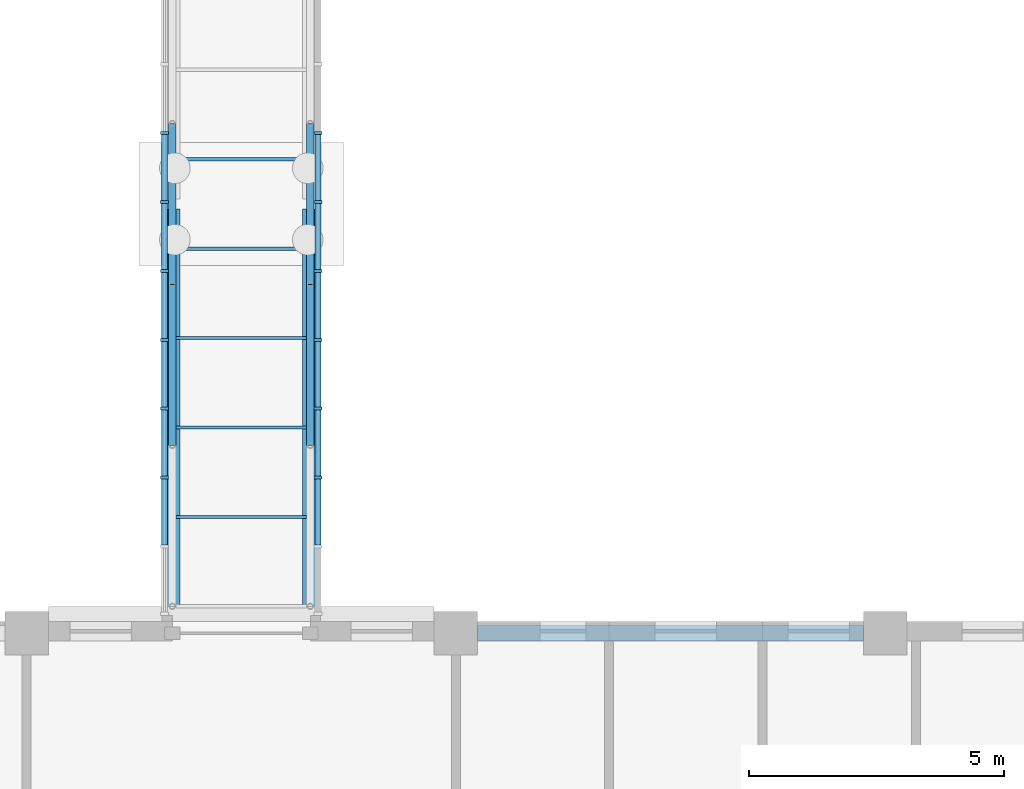
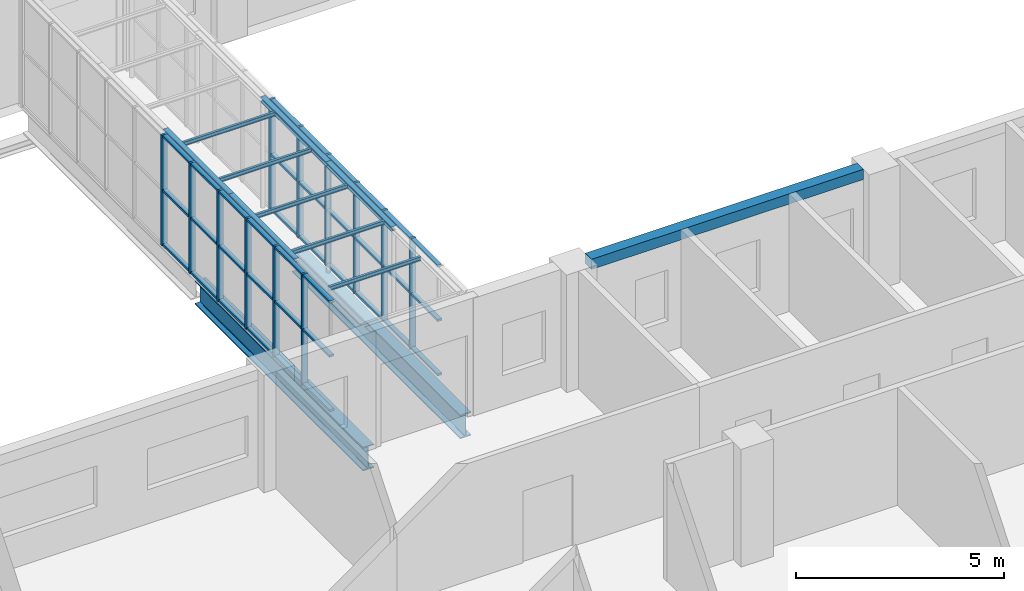
# One storey, part 20 of 94: 48 members, 12 beams, 2 elements without a shape of their own.
"""IFC4 building model written with IfcOpenShell, lengths in metres."""

from ifc_helpers import new_model, si_unit, direction, frame, origin, origin_2d, place, context, subcontext, project, spatial, rectangle, i_section, extrude, material, material_profile, profile_set, type_object, element, aggregate, save


model = new_model("IFC4")

# Units and contexts
model_context = context("Model", 3, precision=1e-05, world=origin(), true_north=direction((0.0, 1.0)))
body_context = subcontext(model_context, "Body", "Model", "MODEL_VIEW")
ifc_project = project(units=[si_unit("LENGTHUNIT", "METRE"), si_unit("AREAUNIT", "SQUARE_METRE"), si_unit("VOLUMEUNIT", "CUBIC_METRE"), si_unit("PLANEANGLEUNIT", "RADIAN"), si_unit("MASSUNIT", "GRAM", prefix="KILO")], contexts=[model_context])

# Site, building, storey
site_placement = place(None, origin())
site = spatial("IfcSite", under=ifc_project, at=site_placement, CompositionType="ELEMENT")
building_placement = place(site_placement, origin())
building = spatial("IfcBuilding", under=site, at=building_placement, Name="Yavir Park General Hospital", CompositionType="ELEMENT")
storey_placement = place(building_placement, frame((0.0, 0.0, 4.5)))
storey = spatial("IfcBuildingStorey", under=building, at=storey_placement, Name="L01", CompositionType="ELEMENT", Elevation=4.5)

# Curtain wall, members
ifc_material_1 = material(Name="Aluminium curtain wall frame with insulated glazing", Category="aluminium")
curtain_wall_type = type_object("IfcCurtainWallType", Name="Bridge enclosure glazing, 3250 high, 1400 module", PredefinedType="NOTDEFINED", material=ifc_material_1)
curtain_wall_1_placement = place(storey_placement, origin())
curtain_wall_1 = element("IfcCurtainWall", 1, at=curtain_wall_1_placement, inside=storey, type_object=curtain_wall_type, Name="CW41 L01-024", PredefinedType="NOTDEFINED")
ifc_material_2 = material(Name="Aluminium", Category="aluminium")
ifc_material_profile_1 = material_profile(ifc_material_2, rectangle(XDim=0.159912109375, YDim=0.06005859375, at=origin_2d()), Name="AL 60x160")
ifc_profile_set_1 = profile_set([ifc_material_profile_1], Name="Aluminium")
member_type_1 = type_object("IfcMemberType", Name="Bridge enclosure glazing, 3250 high mullion 60 x 160", PredefinedType="MULLION", material=ifc_profile_set_1)
member_1_placement = place(storey_placement, frame((53.10009765625, 36.645751953125, 0.0), z_axis=(0.0, 0.0, 1.0), x_axis=(-1.0, 0.0, 0.0)))
member_1 = element("IfcMember", 2, at=member_1_placement, type_object=member_type_1, Name="CW41 mullion 3", PredefinedType="MULLION", context=body_context, shape_type="SweptSolid", body=[
    extrude(rectangle(XDim=0.159912109375, YDim=0.06005859375, at=origin_2d()), origin(), (0.0, 0.0, 1.0), 3.25),
])
member_2_placement = place(storey_placement, frame((53.10009765625, 37.99365234375, 0.0), z_axis=(0.0, 0.0, 1.0), x_axis=(-1.0, 0.0, 0.0)))
member_2 = element("IfcMember", 3, at=member_2_placement, type_object=member_type_1, Name="CW41 mullion 4", PredefinedType="MULLION", context=body_context, shape_type="SweptSolid", body=[
    extrude(rectangle(XDim=0.159912109375, YDim=0.06005859375, at=origin_2d()), origin(), (0.0, 0.0, 1.0), 3.25),
])
member_3_placement = place(storey_placement, frame((53.10009765625, 39.341552734375, 0.0), z_axis=(0.0, 0.0, 1.0), x_axis=(-1.0, 0.0, 0.0)))
member_3 = element("IfcMember", 4, at=member_3_placement, type_object=member_type_1, Name="CW41 mullion 5", PredefinedType="MULLION", context=body_context, shape_type="SweptSolid", body=[
    extrude(rectangle(XDim=0.159912109375, YDim=0.06005859375, at=origin_2d()), origin(), (0.0, 0.0, 1.0), 3.25),
])
member_4_placement = place(storey_placement, frame((53.10009765625, 40.689697265625, 0.0), z_axis=(0.0, 0.0, 1.0), x_axis=(-1.0, 0.0, 0.0)))
member_4 = element("IfcMember", 5, at=member_4_placement, type_object=member_type_1, Name="CW41 mullion 6", PredefinedType="MULLION", context=body_context, shape_type="SweptSolid", body=[
    extrude(rectangle(XDim=0.159912109375, YDim=0.06005859375, at=origin_2d()), origin(), (0.0, 0.0, 1.0), 3.25),
])
member_5_placement = place(storey_placement, frame((53.10009765625, 42.03759765625, 0.0), z_axis=(0.0, 0.0, 1.0), x_axis=(-1.0, 0.0, 0.0)))
member_5 = element("IfcMember", 6, at=member_5_placement, type_object=member_type_1, Name="CW41 mullion 7", PredefinedType="MULLION", context=body_context, shape_type="SweptSolid", body=[
    extrude(rectangle(XDim=0.159912109375, YDim=0.06005859375, at=origin_2d()), origin(), (0.0, 0.0, 1.0), 3.25),
])
member_6_placement = place(storey_placement, frame((53.10009765625, 43.385498046875, 0.0), z_axis=(0.0, 0.0, 1.0), x_axis=(-1.0, 0.0, 0.0)))
member_6 = element("IfcMember", 7, at=member_6_placement, type_object=member_type_1, Name="CW41 mullion 8", PredefinedType="MULLION", context=body_context, shape_type="SweptSolid", body=[
    extrude(rectangle(XDim=0.159912109375, YDim=0.06005859375, at=origin_2d()), origin(), (0.0, 0.0, 1.0), 3.25),
])

curtain_wall_2_placement = place(storey_placement, origin())
curtain_wall_2 = element("IfcCurtainWall", 8, at=curtain_wall_2_placement, inside=storey, type_object=curtain_wall_type, Name="CW41 L01-025", PredefinedType="NOTDEFINED")
member_7_placement = place(storey_placement, frame((56.10009765625, 36.645751953125, 0.0), z_axis=(0.0, 0.0, 1.0), x_axis=(-1.0, 0.0, 0.0)))
member_7 = element("IfcMember", 9, at=member_7_placement, type_object=member_type_1, Name="CW41 mullion 3", PredefinedType="MULLION", context=body_context, shape_type="SweptSolid", body=[
    extrude(rectangle(XDim=0.159912109375, YDim=0.06005859375, at=origin_2d()), origin(), (0.0, 0.0, 1.0), 3.25),
])
member_8_placement = place(storey_placement, frame((56.10009765625, 37.99365234375, 0.0), z_axis=(0.0, 0.0, 1.0), x_axis=(-1.0, 0.0, 0.0)))
member_8 = element("IfcMember", 10, at=member_8_placement, type_object=member_type_1, Name="CW41 mullion 4", PredefinedType="MULLION", context=body_context, shape_type="SweptSolid", body=[
    extrude(rectangle(XDim=0.159912109375, YDim=0.06005859375, at=origin_2d()), origin(), (0.0, 0.0, 1.0), 3.25),
])
member_9_placement = place(storey_placement, frame((56.10009765625, 39.341552734375, 0.0), z_axis=(0.0, 0.0, 1.0), x_axis=(-1.0, 0.0, 0.0)))
member_9 = element("IfcMember", 11, at=member_9_placement, type_object=member_type_1, Name="CW41 mullion 5", PredefinedType="MULLION", context=body_context, shape_type="SweptSolid", body=[
    extrude(rectangle(XDim=0.159912109375, YDim=0.06005859375, at=origin_2d()), origin(), (0.0, 0.0, 1.0), 3.25),
])
member_10_placement = place(storey_placement, frame((56.10009765625, 40.689697265625, 0.0), z_axis=(0.0, 0.0, 1.0), x_axis=(-1.0, 0.0, 0.0)))
member_10 = element("IfcMember", 12, at=member_10_placement, type_object=member_type_1, Name="CW41 mullion 6", PredefinedType="MULLION", context=body_context, shape_type="SweptSolid", body=[
    extrude(rectangle(XDim=0.159912109375, YDim=0.06005859375, at=origin_2d()), origin(), (0.0, 0.0, 1.0), 3.25),
])
member_11_placement = place(storey_placement, frame((56.10009765625, 42.03759765625, 0.0), z_axis=(0.0, 0.0, 1.0), x_axis=(-1.0, 0.0, 0.0)))
member_11 = element("IfcMember", 13, at=member_11_placement, type_object=member_type_1, Name="CW41 mullion 7", PredefinedType="MULLION", context=body_context, shape_type="SweptSolid", body=[
    extrude(rectangle(XDim=0.159912109375, YDim=0.06005859375, at=origin_2d()), origin(), (0.0, 0.0, 1.0), 3.25),
])
member_12_placement = place(storey_placement, frame((56.10009765625, 43.385498046875, 0.0), z_axis=(0.0, 0.0, 1.0), x_axis=(-1.0, 0.0, 0.0)))
member_12 = element("IfcMember", 14, at=member_12_placement, type_object=member_type_1, Name="CW41 mullion 8", PredefinedType="MULLION", context=body_context, shape_type="SweptSolid", body=[
    extrude(rectangle(XDim=0.159912109375, YDim=0.06005859375, at=origin_2d()), origin(), (0.0, 0.0, 1.0), 3.25),
])

# Member
ifc_material_3 = material(Name="Aluminium", Category="aluminium")
ifc_material_profile_2 = material_profile(ifc_material_3, rectangle(XDim=0.1201171875, YDim=0.06005859375, at=origin_2d()), Name="AL 120x60")
ifc_profile_set_2 = profile_set([ifc_material_profile_2], Name="Aluminium")
member_type_2 = type_object("IfcMemberType", Name="Bridge enclosure glazing, 3250 high transom 60 x 120", PredefinedType="MULLION", material=ifc_profile_set_2)
member_13_placement = place(storey_placement, frame((53.10009765625, 35.327880859375, 0.030029296875), z_axis=(0.0, 1.0, 0.0), x_axis=(-1.0, 0.0, 0.0)))
member_13 = element("IfcMember", 15, at=member_13_placement, type_object=member_type_2, Name="CW41 transom 2.1", PredefinedType="MULLION", context=body_context, shape_type="SweptSolid", body=[
    extrude(rectangle(XDim=0.1201171875, YDim=0.06005859375, at=origin_2d()), origin(), (0.0, 0.0, 1.0), 1.287841796875),
])

member_14_placement = place(storey_placement, frame((53.10009765625, 35.327880859375, 1.625), z_axis=(0.0, 1.0, 0.0), x_axis=(-1.0, 0.0, 0.0)))
member_14 = element("IfcMember", 16, at=member_14_placement, type_object=member_type_2, Name="CW41 transom 2.2", PredefinedType="MULLION", context=body_context, shape_type="SweptSolid", body=[
    extrude(rectangle(XDim=0.1201171875, YDim=0.06005859375, at=origin_2d()), origin(), (0.0, 0.0, 1.0), 1.287841796875),
])

member_15_placement = place(storey_placement, frame((53.10009765625, 35.327880859375, 3.219970703125), z_axis=(0.0, 1.0, 0.0), x_axis=(-1.0, 0.0, 0.0)))
member_15 = element("IfcMember", 17, at=member_15_placement, type_object=member_type_2, Name="CW41 transom 2.3", PredefinedType="MULLION", context=body_context, shape_type="SweptSolid", body=[
    extrude(rectangle(XDim=0.1201171875, YDim=0.06005859375, at=origin_2d()), origin(), (0.0, 0.0, 1.0), 1.287841796875),
])

member_16_placement = place(storey_placement, frame((53.10009765625, 36.67578125, 0.030029296875), z_axis=(0.0, 1.0, 0.0), x_axis=(-1.0, 0.0, 0.0)))
member_16 = element("IfcMember", 18, at=member_16_placement, type_object=member_type_2, Name="CW41 transom 3.1", PredefinedType="MULLION", context=body_context, shape_type="SweptSolid", body=[
    extrude(rectangle(XDim=0.1201171875, YDim=0.06005859375, at=origin_2d()), origin(), (0.0, 0.0, 1.0), 1.2880859375),
])

member_17_placement = place(storey_placement, frame((53.10009765625, 36.67578125, 1.625), z_axis=(0.0, 1.0, 0.0), x_axis=(-1.0, 0.0, 0.0)))
member_17 = element("IfcMember", 19, at=member_17_placement, type_object=member_type_2, Name="CW41 transom 3.2", PredefinedType="MULLION", context=body_context, shape_type="SweptSolid", body=[
    extrude(rectangle(XDim=0.1201171875, YDim=0.06005859375, at=origin_2d()), origin(), (0.0, 0.0, 1.0), 1.2880859375),
])

member_18_placement = place(storey_placement, frame((53.10009765625, 36.67578125, 3.219970703125), z_axis=(0.0, 1.0, 0.0), x_axis=(-1.0, 0.0, 0.0)))
member_18 = element("IfcMember", 20, at=member_18_placement, type_object=member_type_2, Name="CW41 transom 3.3", PredefinedType="MULLION", context=body_context, shape_type="SweptSolid", body=[
    extrude(rectangle(XDim=0.1201171875, YDim=0.06005859375, at=origin_2d()), origin(), (0.0, 0.0, 1.0), 1.2880859375),
])

member_19_placement = place(storey_placement, frame((53.10009765625, 38.023681640625, 0.030029296875), z_axis=(0.0, 1.0, 0.0), x_axis=(-1.0, 0.0, 0.0)))
member_19 = element("IfcMember", 21, at=member_19_placement, type_object=member_type_2, Name="CW41 transom 4.1", PredefinedType="MULLION", context=body_context, shape_type="SweptSolid", body=[
    extrude(rectangle(XDim=0.1201171875, YDim=0.06005859375, at=origin_2d()), origin(), (0.0, 0.0, 1.0), 1.2880859375),
])

member_20_placement = place(storey_placement, frame((53.10009765625, 38.023681640625, 1.625), z_axis=(0.0, 1.0, 0.0), x_axis=(-1.0, 0.0, 0.0)))
member_20 = element("IfcMember", 22, at=member_20_placement, type_object=member_type_2, Name="CW41 transom 4.2", PredefinedType="MULLION", context=body_context, shape_type="SweptSolid", body=[
    extrude(rectangle(XDim=0.1201171875, YDim=0.06005859375, at=origin_2d()), origin(), (0.0, 0.0, 1.0), 1.2880859375),
])

member_21_placement = place(storey_placement, frame((53.10009765625, 38.023681640625, 3.219970703125), z_axis=(0.0, 1.0, 0.0), x_axis=(-1.0, 0.0, 0.0)))
member_21 = element("IfcMember", 23, at=member_21_placement, type_object=member_type_2, Name="CW41 transom 4.3", PredefinedType="MULLION", context=body_context, shape_type="SweptSolid", body=[
    extrude(rectangle(XDim=0.1201171875, YDim=0.06005859375, at=origin_2d()), origin(), (0.0, 0.0, 1.0), 1.2880859375),
])

member_22_placement = place(storey_placement, frame((53.10009765625, 39.37158203125, 0.030029296875), z_axis=(0.0, 1.0, 0.0), x_axis=(-1.0, 0.0, 0.0)))
member_22 = element("IfcMember", 24, at=member_22_placement, type_object=member_type_2, Name="CW41 transom 5.1", PredefinedType="MULLION", context=body_context, shape_type="SweptSolid", body=[
    extrude(rectangle(XDim=0.1201171875, YDim=0.06005859375, at=origin_2d()), origin(), (0.0, 0.0, 1.0), 1.2880859375),
])

member_23_placement = place(storey_placement, frame((53.10009765625, 39.37158203125, 1.625), z_axis=(0.0, 1.0, 0.0), x_axis=(-1.0, 0.0, 0.0)))
member_23 = element("IfcMember", 25, at=member_23_placement, type_object=member_type_2, Name="CW41 transom 5.2", PredefinedType="MULLION", context=body_context, shape_type="SweptSolid", body=[
    extrude(rectangle(XDim=0.1201171875, YDim=0.06005859375, at=origin_2d()), origin(), (0.0, 0.0, 1.0), 1.2880859375),
])

member_24_placement = place(storey_placement, frame((53.10009765625, 39.37158203125, 3.219970703125), z_axis=(0.0, 1.0, 0.0), x_axis=(-1.0, 0.0, 0.0)))
member_24 = element("IfcMember", 26, at=member_24_placement, type_object=member_type_2, Name="CW41 transom 5.3", PredefinedType="MULLION", context=body_context, shape_type="SweptSolid", body=[
    extrude(rectangle(XDim=0.1201171875, YDim=0.06005859375, at=origin_2d()), origin(), (0.0, 0.0, 1.0), 1.2880859375),
])

member_25_placement = place(storey_placement, frame((53.10009765625, 40.719482421875, 0.030029296875), z_axis=(0.0, 1.0, 0.0), x_axis=(-1.0, 0.0, 0.0)))
member_25 = element("IfcMember", 27, at=member_25_placement, type_object=member_type_2, Name="CW41 transom 6.1", PredefinedType="MULLION", context=body_context, shape_type="SweptSolid", body=[
    extrude(rectangle(XDim=0.1201171875, YDim=0.06005859375, at=origin_2d()), origin(), (0.0, 0.0, 1.0), 1.2880859375),
])

member_26_placement = place(storey_placement, frame((53.10009765625, 40.719482421875, 1.625), z_axis=(0.0, 1.0, 0.0), x_axis=(-1.0, 0.0, 0.0)))
member_26 = element("IfcMember", 28, at=member_26_placement, type_object=member_type_2, Name="CW41 transom 6.2", PredefinedType="MULLION", context=body_context, shape_type="SweptSolid", body=[
    extrude(rectangle(XDim=0.1201171875, YDim=0.06005859375, at=origin_2d()), origin(), (0.0, 0.0, 1.0), 1.2880859375),
])

member_27_placement = place(storey_placement, frame((53.10009765625, 40.719482421875, 3.219970703125), z_axis=(0.0, 1.0, 0.0), x_axis=(-1.0, 0.0, 0.0)))
member_27 = element("IfcMember", 29, at=member_27_placement, type_object=member_type_2, Name="CW41 transom 6.3", PredefinedType="MULLION", context=body_context, shape_type="SweptSolid", body=[
    extrude(rectangle(XDim=0.1201171875, YDim=0.06005859375, at=origin_2d()), origin(), (0.0, 0.0, 1.0), 1.2880859375),
])

member_28_placement = place(storey_placement, frame((53.10009765625, 42.0673828125, 0.030029296875), z_axis=(0.0, 1.0, 0.0), x_axis=(-1.0, 0.0, 0.0)))
member_28 = element("IfcMember", 30, at=member_28_placement, type_object=member_type_2, Name="CW41 transom 7.1", PredefinedType="MULLION", context=body_context, shape_type="SweptSolid", body=[
    extrude(rectangle(XDim=0.1201171875, YDim=0.06005859375, at=origin_2d()), origin(), (0.0, 0.0, 1.0), 1.2880859375),
])

member_29_placement = place(storey_placement, frame((53.10009765625, 42.0673828125, 1.625), z_axis=(0.0, 1.0, 0.0), x_axis=(-1.0, 0.0, 0.0)))
member_29 = element("IfcMember", 31, at=member_29_placement, type_object=member_type_2, Name="CW41 transom 7.2", PredefinedType="MULLION", context=body_context, shape_type="SweptSolid", body=[
    extrude(rectangle(XDim=0.1201171875, YDim=0.06005859375, at=origin_2d()), origin(), (0.0, 0.0, 1.0), 1.2880859375),
])

member_30_placement = place(storey_placement, frame((53.10009765625, 42.0673828125, 3.219970703125), z_axis=(0.0, 1.0, 0.0), x_axis=(-1.0, 0.0, 0.0)))
member_30 = element("IfcMember", 32, at=member_30_placement, type_object=member_type_2, Name="CW41 transom 7.3", PredefinedType="MULLION", context=body_context, shape_type="SweptSolid", body=[
    extrude(rectangle(XDim=0.1201171875, YDim=0.06005859375, at=origin_2d()), origin(), (0.0, 0.0, 1.0), 1.2880859375),
])

aggregate(curtain_wall_1, [member_1, member_2, member_3, member_4, member_5, member_6, member_13, member_14, member_15, member_16, member_17, member_18, member_19, member_20, member_21, member_22, member_23, member_24, member_25, member_26, member_27, member_28, member_29, member_30])

member_31_placement = place(storey_placement, frame((56.10009765625, 35.327880859375, 0.030029296875), z_axis=(0.0, 1.0, 0.0), x_axis=(-1.0, 0.0, 0.0)))
member_31 = element("IfcMember", 33, at=member_31_placement, type_object=member_type_2, Name="CW41 transom 2.1", PredefinedType="MULLION", context=body_context, shape_type="SweptSolid", body=[
    extrude(rectangle(XDim=0.1201171875, YDim=0.06005859375, at=origin_2d()), origin(), (0.0, 0.0, 1.0), 1.287841796875),
])

member_32_placement = place(storey_placement, frame((56.10009765625, 35.327880859375, 1.625), z_axis=(0.0, 1.0, 0.0), x_axis=(-1.0, 0.0, 0.0)))
member_32 = element("IfcMember", 34, at=member_32_placement, type_object=member_type_2, Name="CW41 transom 2.2", PredefinedType="MULLION", context=body_context, shape_type="SweptSolid", body=[
    extrude(rectangle(XDim=0.1201171875, YDim=0.06005859375, at=origin_2d()), origin(), (0.0, 0.0, 1.0), 1.287841796875),
])

member_33_placement = place(storey_placement, frame((56.10009765625, 35.327880859375, 3.219970703125), z_axis=(0.0, 1.0, 0.0), x_axis=(-1.0, 0.0, 0.0)))
member_33 = element("IfcMember", 35, at=member_33_placement, type_object=member_type_2, Name="CW41 transom 2.3", PredefinedType="MULLION", context=body_context, shape_type="SweptSolid", body=[
    extrude(rectangle(XDim=0.1201171875, YDim=0.06005859375, at=origin_2d()), origin(), (0.0, 0.0, 1.0), 1.287841796875),
])

member_34_placement = place(storey_placement, frame((56.10009765625, 36.67578125, 0.030029296875), z_axis=(0.0, 1.0, 0.0), x_axis=(-1.0, 0.0, 0.0)))
member_34 = element("IfcMember", 36, at=member_34_placement, type_object=member_type_2, Name="CW41 transom 3.1", PredefinedType="MULLION", context=body_context, shape_type="SweptSolid", body=[
    extrude(rectangle(XDim=0.1201171875, YDim=0.06005859375, at=origin_2d()), origin(), (0.0, 0.0, 1.0), 1.2880859375),
])

member_35_placement = place(storey_placement, frame((56.10009765625, 36.67578125, 1.625), z_axis=(0.0, 1.0, 0.0), x_axis=(-1.0, 0.0, 0.0)))
member_35 = element("IfcMember", 37, at=member_35_placement, type_object=member_type_2, Name="CW41 transom 3.2", PredefinedType="MULLION", context=body_context, shape_type="SweptSolid", body=[
    extrude(rectangle(XDim=0.1201171875, YDim=0.06005859375, at=origin_2d()), origin(), (0.0, 0.0, 1.0), 1.2880859375),
])

member_36_placement = place(storey_placement, frame((56.10009765625, 36.67578125, 3.219970703125), z_axis=(0.0, 1.0, 0.0), x_axis=(-1.0, 0.0, 0.0)))
member_36 = element("IfcMember", 38, at=member_36_placement, type_object=member_type_2, Name="CW41 transom 3.3", PredefinedType="MULLION", context=body_context, shape_type="SweptSolid", body=[
    extrude(rectangle(XDim=0.1201171875, YDim=0.06005859375, at=origin_2d()), origin(), (0.0, 0.0, 1.0), 1.2880859375),
])

member_37_placement = place(storey_placement, frame((56.10009765625, 38.023681640625, 0.030029296875), z_axis=(0.0, 1.0, 0.0), x_axis=(-1.0, 0.0, 0.0)))
member_37 = element("IfcMember", 39, at=member_37_placement, type_object=member_type_2, Name="CW41 transom 4.1", PredefinedType="MULLION", context=body_context, shape_type="SweptSolid", body=[
    extrude(rectangle(XDim=0.1201171875, YDim=0.06005859375, at=origin_2d()), origin(), (0.0, 0.0, 1.0), 1.2880859375),
])

member_38_placement = place(storey_placement, frame((56.10009765625, 38.023681640625, 1.625), z_axis=(0.0, 1.0, 0.0), x_axis=(-1.0, 0.0, 0.0)))
member_38 = element("IfcMember", 40, at=member_38_placement, type_object=member_type_2, Name="CW41 transom 4.2", PredefinedType="MULLION", context=body_context, shape_type="SweptSolid", body=[
    extrude(rectangle(XDim=0.1201171875, YDim=0.06005859375, at=origin_2d()), origin(), (0.0, 0.0, 1.0), 1.2880859375),
])

member_39_placement = place(storey_placement, frame((56.10009765625, 38.023681640625, 3.219970703125), z_axis=(0.0, 1.0, 0.0), x_axis=(-1.0, 0.0, 0.0)))
member_39 = element("IfcMember", 41, at=member_39_placement, type_object=member_type_2, Name="CW41 transom 4.3", PredefinedType="MULLION", context=body_context, shape_type="SweptSolid", body=[
    extrude(rectangle(XDim=0.1201171875, YDim=0.06005859375, at=origin_2d()), origin(), (0.0, 0.0, 1.0), 1.2880859375),
])

member_40_placement = place(storey_placement, frame((56.10009765625, 39.37158203125, 0.030029296875), z_axis=(0.0, 1.0, 0.0), x_axis=(-1.0, 0.0, 0.0)))
member_40 = element("IfcMember", 42, at=member_40_placement, type_object=member_type_2, Name="CW41 transom 5.1", PredefinedType="MULLION", context=body_context, shape_type="SweptSolid", body=[
    extrude(rectangle(XDim=0.1201171875, YDim=0.06005859375, at=origin_2d()), origin(), (0.0, 0.0, 1.0), 1.2880859375),
])

member_41_placement = place(storey_placement, frame((56.10009765625, 39.37158203125, 1.625), z_axis=(0.0, 1.0, 0.0), x_axis=(-1.0, 0.0, 0.0)))
member_41 = element("IfcMember", 43, at=member_41_placement, type_object=member_type_2, Name="CW41 transom 5.2", PredefinedType="MULLION", context=body_context, shape_type="SweptSolid", body=[
    extrude(rectangle(XDim=0.1201171875, YDim=0.06005859375, at=origin_2d()), origin(), (0.0, 0.0, 1.0), 1.2880859375),
])

member_42_placement = place(storey_placement, frame((56.10009765625, 39.37158203125, 3.219970703125), z_axis=(0.0, 1.0, 0.0), x_axis=(-1.0, 0.0, 0.0)))
member_42 = element("IfcMember", 44, at=member_42_placement, type_object=member_type_2, Name="CW41 transom 5.3", PredefinedType="MULLION", context=body_context, shape_type="SweptSolid", body=[
    extrude(rectangle(XDim=0.1201171875, YDim=0.06005859375, at=origin_2d()), origin(), (0.0, 0.0, 1.0), 1.2880859375),
])

member_43_placement = place(storey_placement, frame((56.10009765625, 40.719482421875, 0.030029296875), z_axis=(0.0, 1.0, 0.0), x_axis=(-1.0, 0.0, 0.0)))
member_43 = element("IfcMember", 45, at=member_43_placement, type_object=member_type_2, Name="CW41 transom 6.1", PredefinedType="MULLION", context=body_context, shape_type="SweptSolid", body=[
    extrude(rectangle(XDim=0.1201171875, YDim=0.06005859375, at=origin_2d()), origin(), (0.0, 0.0, 1.0), 1.2880859375),
])

member_44_placement = place(storey_placement, frame((56.10009765625, 40.719482421875, 1.625), z_axis=(0.0, 1.0, 0.0), x_axis=(-1.0, 0.0, 0.0)))
member_44 = element("IfcMember", 46, at=member_44_placement, type_object=member_type_2, Name="CW41 transom 6.2", PredefinedType="MULLION", context=body_context, shape_type="SweptSolid", body=[
    extrude(rectangle(XDim=0.1201171875, YDim=0.06005859375, at=origin_2d()), origin(), (0.0, 0.0, 1.0), 1.2880859375),
])

member_45_placement = place(storey_placement, frame((56.10009765625, 40.719482421875, 3.219970703125), z_axis=(0.0, 1.0, 0.0), x_axis=(-1.0, 0.0, 0.0)))
member_45 = element("IfcMember", 47, at=member_45_placement, type_object=member_type_2, Name="CW41 transom 6.3", PredefinedType="MULLION", context=body_context, shape_type="SweptSolid", body=[
    extrude(rectangle(XDim=0.1201171875, YDim=0.06005859375, at=origin_2d()), origin(), (0.0, 0.0, 1.0), 1.2880859375),
])

member_46_placement = place(storey_placement, frame((56.10009765625, 42.0673828125, 0.030029296875), z_axis=(0.0, 1.0, 0.0), x_axis=(-1.0, 0.0, 0.0)))
member_46 = element("IfcMember", 48, at=member_46_placement, type_object=member_type_2, Name="CW41 transom 7.1", PredefinedType="MULLION", context=body_context, shape_type="SweptSolid", body=[
    extrude(rectangle(XDim=0.1201171875, YDim=0.06005859375, at=origin_2d()), origin(), (0.0, 0.0, 1.0), 1.2880859375),
])

member_47_placement = place(storey_placement, frame((56.10009765625, 42.0673828125, 1.625), z_axis=(0.0, 1.0, 0.0), x_axis=(-1.0, 0.0, 0.0)))
member_47 = element("IfcMember", 49, at=member_47_placement, type_object=member_type_2, Name="CW41 transom 7.2", PredefinedType="MULLION", context=body_context, shape_type="SweptSolid", body=[
    extrude(rectangle(XDim=0.1201171875, YDim=0.06005859375, at=origin_2d()), origin(), (0.0, 0.0, 1.0), 1.2880859375),
])

member_48_placement = place(storey_placement, frame((56.10009765625, 42.0673828125, 3.219970703125), z_axis=(0.0, 1.0, 0.0), x_axis=(-1.0, 0.0, 0.0)))
member_48 = element("IfcMember", 50, at=member_48_placement, type_object=member_type_2, Name="CW41 transom 7.3", PredefinedType="MULLION", context=body_context, shape_type="SweptSolid", body=[
    extrude(rectangle(XDim=0.1201171875, YDim=0.06005859375, at=origin_2d()), origin(), (0.0, 0.0, 1.0), 1.2880859375),
])

aggregate(curtain_wall_2, [member_7, member_8, member_9, member_10, member_11, member_12, member_31, member_32, member_33, member_34, member_35, member_36, member_37, member_38, member_39, member_40, member_41, member_42, member_43, member_44, member_45, member_46, member_47, member_48])

# Beams
ifc_material_4 = material(Name="Steel S355", Category="steel")
ifc_material_profile_3 = material_profile(ifc_material_4, i_section(OverallWidth=0.139892578125, OverallDepth=0.133056640625, WebThickness=0.005615234375, FlangeThickness=0.008544921875, FilletRadius=0.011962890625, at=origin_2d()), Name="HEA140")
ifc_profile_set_3 = profile_set([ifc_material_profile_3], Name="Steel S355")
beam_type_1 = type_object("IfcBeamType", Name="HEA 140 roof edge beam", PredefinedType="BEAM", material=ifc_profile_set_3)
beam_1_placement = place(storey_placement, frame((53.25, 37.27490234375, 3.18359375), z_axis=(0.0, 1.0, 0.0), x_axis=(-1.0, 0.0, 0.0)))
element("IfcBeam", 51, at=beam_1_placement, inside=storey, type_object=beam_type_1, Name="RF:BRS:frame:E:01", PredefinedType="BEAM", context=body_context, shape_type="SweptSolid", body=[
    extrude(i_section(OverallWidth=0.139892578125, OverallDepth=0.133056640625, WebThickness=0.005615234375, FlangeThickness=0.008544921875, FilletRadius=0.011962890625, at=origin_2d()), origin(), (0.0, 0.0, 1.0), 3.150146484375),
])
beam_2_placement = place(storey_placement, frame((53.25, 40.425048828125, 3.18359375), z_axis=(0.0, 1.0, 0.0), x_axis=(-1.0, 0.0, 0.0)))
element("IfcBeam", 52, at=beam_2_placement, inside=storey, type_object=beam_type_1, Name="RF:BRS:frame:E:02", PredefinedType="BEAM", context=body_context, shape_type="SweptSolid", body=[
    extrude(i_section(OverallWidth=0.139892578125, OverallDepth=0.133056640625, WebThickness=0.005615234375, FlangeThickness=0.008544921875, FilletRadius=0.011962890625, at=origin_2d()), origin(), (0.0, 0.0, 1.0), 3.14990234375),
])
beam_3_placement = place(storey_placement, frame((55.949951171875, 37.27490234375, 3.18359375), z_axis=(0.0, 1.0, 0.0), x_axis=(-1.0, 0.0, 0.0)))
element("IfcBeam", 53, at=beam_3_placement, inside=storey, type_object=beam_type_1, Name="RF:BRS:frame:E:11", PredefinedType="BEAM", context=body_context, shape_type="SweptSolid", body=[
    extrude(i_section(OverallWidth=0.139892578125, OverallDepth=0.133056640625, WebThickness=0.005615234375, FlangeThickness=0.008544921875, FilletRadius=0.011962890625, at=origin_2d()), origin(), (0.0, 0.0, 1.0), 3.150146484375),
])
beam_4_placement = place(storey_placement, frame((55.949951171875, 40.425048828125, 3.18359375), z_axis=(0.0, 1.0, 0.0), x_axis=(-1.0, 0.0, 0.0)))
element("IfcBeam", 54, at=beam_4_placement, inside=storey, type_object=beam_type_1, Name="RF:BRS:frame:E:12", PredefinedType="BEAM", context=body_context, shape_type="SweptSolid", body=[
    extrude(i_section(OverallWidth=0.139892578125, OverallDepth=0.133056640625, WebThickness=0.005615234375, FlangeThickness=0.008544921875, FilletRadius=0.011962890625, at=origin_2d()), origin(), (0.0, 0.0, 1.0), 3.14990234375),
])
ifc_material_5 = material(Name="Steel S355", Category="steel")
ifc_material_profile_4 = material_profile(ifc_material_5, i_section(OverallWidth=0.300048828125, OverallDepth=0.699951171875, WebThickness=0.01708984375, FlangeThickness=0.031982421875, FilletRadius=0.027099609375, at=origin_2d()), Name="HEB700")
ifc_profile_set_4 = profile_set([ifc_material_profile_4], Name="Steel S355")
beam_type_2 = type_object("IfcBeamType", Name="HEB 700 bridge girder", PredefinedType="BEAM", material=ifc_profile_set_4)
for number, where, z_axis, x_axis, name in (
    (55, (53.25, 33.824951171875, -0.5), (0.0, 1.0, 0.0), (-1.0, 0.0, 0.0), "B:BR_S:G0:0"),
    (56, (55.949951171875, 33.824951171875, -0.5), (0.0, 1.0, 0.0), (-1.0, 0.0, 0.0), "B:BR_S:G1:0"),
):
    element("IfcBeam", number, at=place(storey_placement, frame(where, z_axis=z_axis, x_axis=x_axis)), inside=storey, type_object=beam_type_2, Name=name, PredefinedType="BEAM", context=body_context, shape_type="SweptSolid", body=[
        extrude(i_section(OverallWidth=0.300048828125, OverallDepth=0.699951171875, WebThickness=0.01708984375, FlangeThickness=0.031982421875, FilletRadius=0.027099609375, at=origin_2d()), origin(), (0.0, 0.0, 1.0), 8.074951171875),
    ])
ifc_material_6 = material(Name="Steel S355", Category="steel")
ifc_material_profile_5 = material_profile(ifc_material_6, i_section(OverallWidth=0.06396484375, OverallDepth=0.1201171875, WebThickness=0.00439453125, FlangeThickness=0.00634765625, FilletRadius=0.007080078125, at=origin_2d()), Name="IPE120")
ifc_profile_set_5 = profile_set([ifc_material_profile_5], Name="Steel S355")
beam_type_3 = type_object("IfcBeamType", Name="IPE 120 roof cross beam", PredefinedType="JOIST", material=ifc_profile_set_5)
for number, where, z_axis, x_axis, name in (
    (57, (53.320068359375, 35.875, 3.18994140625), (1.0, 0.0, 0.0), (0.0, 1.0, 0.0), "RF:BRS:frame:C:1"),
    (58, (53.320068359375, 37.625, 3.18994140625), (1.0, 0.0, 0.0), (0.0, 1.0, 0.0), "RF:BRS:frame:C:2"),
    (59, (53.320068359375, 39.375, 3.18994140625), (1.0, 0.0, 0.0), (0.0, 1.0, 0.0), "RF:BRS:frame:C:3"),
    (60, (53.320068359375, 41.125, 3.18994140625), (1.0, 0.0, 0.0), (0.0, 1.0, 0.0), "RF:BRS:frame:C:4"),
    (61, (53.320068359375, 42.875, 3.18994140625), (1.0, 0.0, 0.0), (0.0, 1.0, 0.0), "RF:BRS:frame:C:5"),
):
    element("IfcBeam", number, at=place(storey_placement, frame(where, z_axis=z_axis, x_axis=x_axis)), inside=storey, type_object=beam_type_3, Name=name, PredefinedType="JOIST", context=body_context, shape_type="SweptSolid", body=[
        extrude(i_section(OverallWidth=0.06396484375, OverallDepth=0.1201171875, WebThickness=0.00439453125, FlangeThickness=0.00634765625, FilletRadius=0.007080078125, at=origin_2d()), origin(), (0.0, 0.0, 1.0), 2.559814453125),
    ])
ifc_material_7 = material(Name="Concrete C35/45", Category="concrete")
ifc_material_profile_6 = material_profile(ifc_material_7, rectangle(XDim=0.300048828125, YDim=0.300048828125, at=origin_2d()), Name="RC300x300")
ifc_profile_set_6 = profile_set([ifc_material_profile_6], Name="Concrete C35/45")
beam_type_4 = type_object("IfcBeamType", Name="RC BEAM 300x300 edge beam", PredefinedType="BEAM", material=ifc_profile_set_6)
beam_5_placement = place(storey_placement, frame((59.22509765625, 33.60009765625, 3.300048828125), z_axis=(1.0, 0.0, 0.0), x_axis=(0.0, 1.0, 0.0)))
element("IfcBeam", 62, at=beam_5_placement, inside=storey, type_object=beam_type_4, Name="B:EDGE:L01:019", PredefinedType="BEAM", context=body_context, shape_type="SweptSolid", body=[
    extrude(rectangle(XDim=0.300048828125, YDim=0.300048828125, at=origin_2d()), origin(), (0.0, 0.0, 1.0), 7.5498046875),
])

save(model, "model.ifc")
